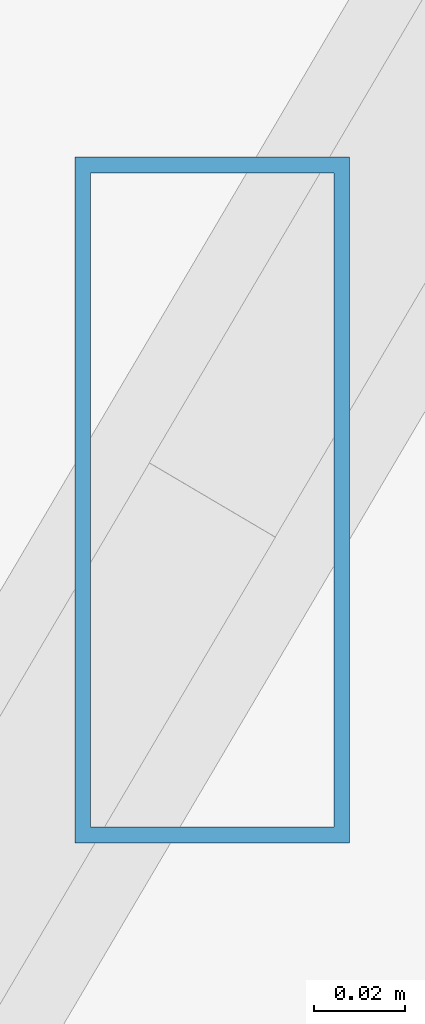
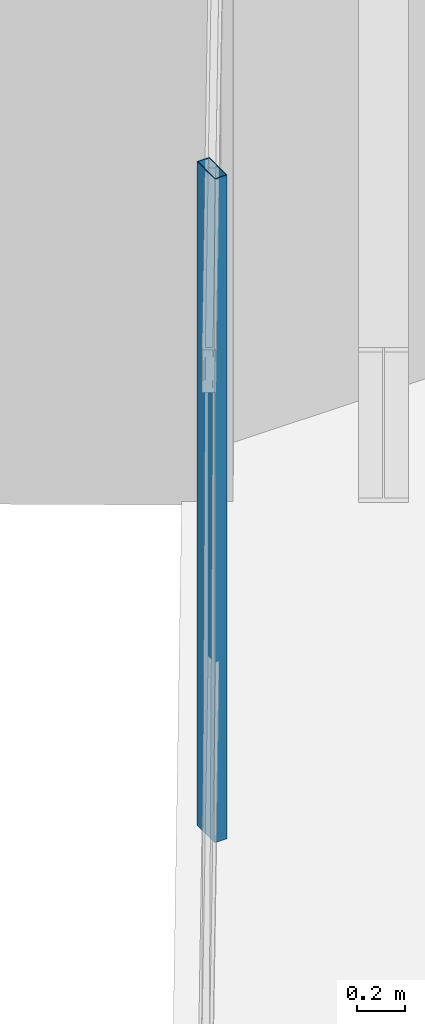
# One storey, part 27 of 41: 1 member, 1 element without a shape of its own.
"""IFC4 building model written with IfcOpenShell, lengths in metres."""

from ifc_helpers import new_model, si_unit, direction, frame, origin, origin_2d, place, context, subcontext, project, spatial, hollow_rectangle, extrude, source, transform, mapped, material, material_profile, profile_set, type_object, type_shapes, element, aggregate, save


model = new_model("IFC4")

# Units and contexts
model_context = context("Model", 3, precision=1e-05, world=origin(), true_north=direction((0.0, 1.0)))
body_context = subcontext(model_context, "Body", "Model", "MODEL_VIEW")
ifc_project = project(units=[si_unit("LENGTHUNIT", "METRE"), si_unit("AREAUNIT", "SQUARE_METRE"), si_unit("VOLUMEUNIT", "CUBIC_METRE"), si_unit("PLANEANGLEUNIT", "RADIAN"), si_unit("MASSUNIT", "GRAM", prefix="KILO")], contexts=[model_context])

# Site, building, storey
site_placement = place(None, origin())
site = spatial("IfcSite", under=ifc_project, at=site_placement, CompositionType="ELEMENT")
building_placement = place(site_placement, origin())
building = spatial("IfcBuilding", under=site, at=building_placement, Name="Caelisora Broadcast Tower", CompositionType="ELEMENT")
storey_placement = place(building_placement, frame((0.0, 0.0, 165.800048828125)))
storey = spatial("IfcBuildingStorey", under=building, at=storey_placement, Name="L43", CompositionType="ELEMENT", Elevation=165.800048828125)

# Curtain wall, member
ifc_material_1 = material(Name="Unitised Aluminium and Low-E Glass Curtain Wall", Category="glass")
curtain_wall_type = type_object("IfcCurtainWallType", Name="CW-Z3", PredefinedType="NOTDEFINED", material=ifc_material_1)
curtain_wall_placement = place(storey_placement, origin())
curtain_wall = element("IfcCurtainWall", 1, at=curtain_wall_placement, inside=storey, type_object=curtain_wall_type, Name="L43 curtain wall CW-Z3", PredefinedType="NOTDEFINED")
ifc_material_2 = material(Name="Aluminium 6063-T6 Anodised Terracotta Bronze", Category="aluminium")
ifc_material_profile = material_profile(ifc_material_2, hollow_rectangle(XDim=0.06005859375, YDim=0.14990234375, WallThickness=0.00341796875, at=origin_2d()), Name="Aluminium 6063-T6 Anodised Terracotta Bronze")
ifc_profile_set = profile_set([ifc_material_profile], Name="Aluminium 6063-T6 Anodised Terracotta Bronze")
member_type = type_object("IfcMemberType", Name="CWM-03", PredefinedType="MULLION", material=ifc_profile_set)
shared_shape = source(origin(), body_context, "Body", "SweptSolid", [
    extrude(hollow_rectangle(XDim=0.06005859375, YDim=0.14990234375, WallThickness=0.00341796875, at=origin_2d()), origin(), (0.0, 0.0, 1.0), 3.39990234375),
])
type_shapes(member_type, [shared_shape])
member_placement = place(storey_placement, frame((28.87939453125, 42.42236328125, 0.0), z_axis=(0.0, 0.0, 1.0), x_axis=(1.0, 0.0, 0.0)))
member = element("IfcMember", 2, at=member_placement, type_object=member_type, Name="L43-CW-B11 mullion #1", PredefinedType="MULLION", context=body_context, shape_type="MappedRepresentation", body=[
    mapped(shared_shape, transform((0.0, 0.0, 0.0), scale=1.0)),
])
aggregate(curtain_wall, [member])

save(model, "model.ifc")
